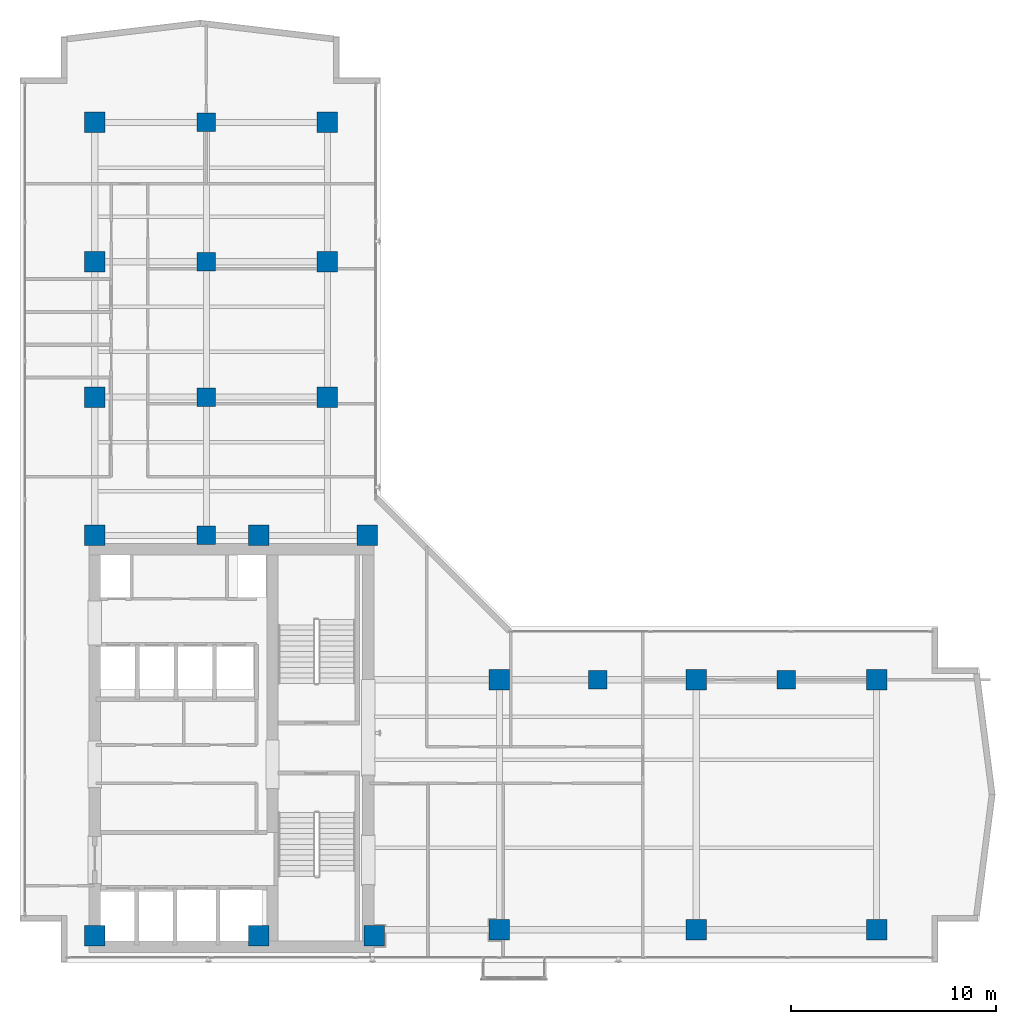
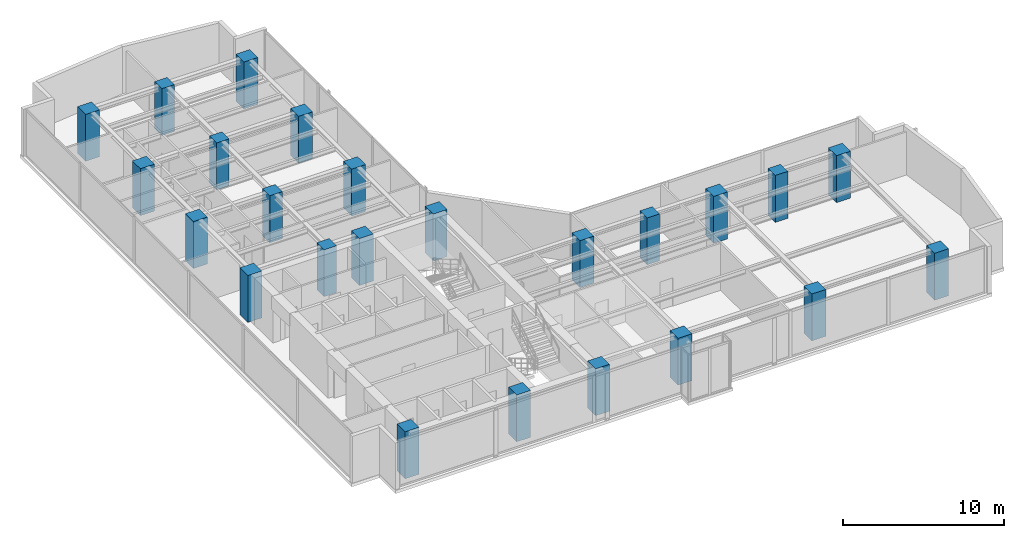
# One storey, part 1 of 23: 24 columns.
"""IFC4 building model written with IfcOpenShell, lengths in metres."""

import ifcopenshell
import ifcopenshell.guid

model = None  # the IFC model being written
_history = None  # IfcOwnerHistory: only IFC2X3 demands one
_inside = {}  # id of a spatial element -> (the spatial element, [elements in it])
_under = {}  # id of a project, library or spatial element -> (it, [spatial elements below it])
_declared = {}  # id of a project -> (the project, [libraries it declares])
_typed = {}  # id of a type object -> (the type object, [elements of that type])
_made_of = {}  # id of a material, layer set ... -> (it, [elements and type objects made of it])


def new_model(schema):
    """Start an empty IFC model of exactly this schema.

    Asked for "IFC4X3", IfcOpenShell would pick the latest addendum, in which some entities
    have other attributes; the version numbers below select the first issue.
    IFC2X3 requires an IfcOwnerHistory on every rooted entity: one is made here for all.
    """
    global model, _history
    if schema == "IFC4X3":
        model = ifcopenshell.file(schema_version=(4, 3, 0, 0))
    else:
        model = ifcopenshell.file(schema=schema)
    _inside.clear()
    _under.clear()
    _declared.clear()
    _typed.clear()
    _made_of.clear()
    _history = None
    if model.schema == "IFC2X3":
        org = make("IfcOrganization", Name="unknown")
        user = make(
            "IfcPersonAndOrganization",
            ThePerson=make("IfcPerson", FamilyName="unknown"),
            TheOrganization=org,
        )
        app = make(
            "IfcApplication",
            ApplicationDeveloper=org,
            Version="unknown",
            ApplicationFullName="unknown",
            ApplicationIdentifier="unknown",
        )
        _history = make(
            "IfcOwnerHistory",
            OwningUser=user,
            OwningApplication=app,
            ChangeAction="ADDED",
            CreationDate=0,
        )
    return model


def make(cls, **values):
    """One entity of the class cls with the attributes given. An attribute that is None is left unset."""
    return model.create_entity(
        cls, **{name: value for name, value in values.items() if value is not None}
    )


def rooted(cls, **values):
    """An entity with a GlobalId (a new one), such as an element, a storey or a relation."""
    return make(cls, GlobalId=ifcopenshell.guid.new(), OwnerHistory=_history, **values)


def si_unit(unit_type, name, prefix=None):
    """IfcSIUnit, for example si_unit("LENGTHUNIT", "METRE", prefix="MILLI")."""
    return make("IfcSIUnit", UnitType=unit_type, Prefix=prefix, Name=name)


def assignment(units):
    """IfcUnitAssignment: the units of a project."""
    return None if units is None else make("IfcUnitAssignment", Units=units)


def point(xyz):
    """IfcCartesianPoint."""
    return None if xyz is None else make("IfcCartesianPoint", Coordinates=xyz)


def direction(xyz):
    """IfcDirection."""
    return None if xyz is None else make("IfcDirection", DirectionRatios=xyz)


def frame(location, z_axis=None, x_axis=None):
    """IfcAxis2Placement3D, a coordinate frame: its origin and axes. An axis left out is left unset."""
    return make(
        "IfcAxis2Placement3D",
        Location=point(location),
        Axis=direction(z_axis),
        RefDirection=direction(x_axis),
    )


def frame_2d(location, x_axis=None):
    """IfcAxis2Placement2D, a coordinate frame in the plane: its origin and x axis."""
    return make(
        "IfcAxis2Placement2D", Location=point(location), RefDirection=direction(x_axis)
    )


def origin():
    """The frame at (0, 0, 0) with its axes left unset."""
    return frame((0.0, 0.0, 0.0))


def origin_2d():
    """The frame at (0, 0) in the plane with its x axis left unset."""
    return frame_2d((0.0, 0.0))


def place(relative_to, where):
    """IfcLocalPlacement: puts the frame where relative to a parent placement (None: the world)."""
    return make(
        "IfcLocalPlacement", PlacementRelTo=relative_to, RelativePlacement=where
    )


def context(
    kind, dimensions, precision=None, world=None, true_north=None, identifier=None
):
    """IfcGeometricRepresentationContext, for example the 3D "Model" context."""
    return make(
        "IfcGeometricRepresentationContext",
        ContextIdentifier=identifier,
        ContextType=kind,
        CoordinateSpaceDimension=dimensions,
        Precision=precision,
        WorldCoordinateSystem=world,
        TrueNorth=true_north,
    )


def subcontext(parent, identifier, kind, view, scale=None):
    """IfcGeometricRepresentationSubContext, for example "Body" below "Model"."""
    return make(
        "IfcGeometricRepresentationSubContext",
        ContextIdentifier=identifier,
        ContextType=kind,
        ParentContext=parent,
        TargetScale=scale,
        TargetView=view,
    )


def project(units=None, contexts=None):
    """IfcProject with its units and contexts."""
    return rooted(
        "IfcProject",
        Name="project",
        RepresentationContexts=contexts,
        UnitsInContext=assignment(units),
    )


def spatial(cls, under=None, at=None, **own):
    """A site, building, storey or space (cls), placed at a placement, below another one or the project."""
    s = rooted(cls, ObjectPlacement=at, **own)
    if under is not None:
        _under.setdefault(under.id(), (under, []))[1].append(s)
    return s


def profile(cls, at=None, kind="AREA", **sizes):
    """A parametric profile (cls). Its sizes go by their IFC names, for example OverallWidth=200.0."""
    return make(cls, ProfileType=kind, Position=at, **sizes)


def rectangle(**sizes):
    """IfcRectangleProfileDef."""
    return profile("IfcRectangleProfileDef", **sizes)


def extrude(swept, where, along, depth):
    """IfcExtrudedAreaSolid: the profile swept, set in the frame where, extruded along a direction by depth."""
    return make(
        "IfcExtrudedAreaSolid",
        SweptArea=swept,
        Position=where,
        ExtrudedDirection=direction(along),
        Depth=depth,
    )


def shape(context_of_items, identifier, shape_type, items):
    """IfcShapeRepresentation: the items that make up one representation, for example the "Body"."""
    return make(
        "IfcShapeRepresentation",
        ContextOfItems=context_of_items,
        RepresentationIdentifier=identifier,
        RepresentationType=shape_type,
        Items=items,
    )


def material(Name=None, Category=None):
    """IfcMaterial."""
    return make("IfcMaterial", Name=Name, Category=Category)


def material_profile(
    of_material, cross_section, Name=None, Category=None, Priority=None
):
    """IfcMaterialProfile: a cross section and its material."""
    return make(
        "IfcMaterialProfile",
        Name=Name,
        Material=of_material,
        Profile=cross_section,
        Priority=Priority,
        Category=Category,
    )


def profile_set(profiles, Name=None, composite=None):
    """IfcMaterialProfileSet."""
    return make(
        "IfcMaterialProfileSet",
        Name=Name,
        MaterialProfiles=profiles,
        CompositeProfile=composite,
    )


def made_of(thing, what):
    """Note that an element or type object is made of a material, layer set ...; save() writes the relation."""
    if what is not None:
        _made_of.setdefault(what.id(), (what, []))[1].append(thing)
    return thing


def type_object(cls, material=None, **own):
    """A type object (cls), such as IfcWallType, which elements share."""
    return made_of(rooted(cls, **own), material)


def element(
    cls,
    number,
    at=None,
    inside=None,
    cuts=None,
    type_object=None,
    material=None,
    context=None,
    identifier="Body",
    shape_type=None,
    held_by="IfcProductDefinitionShape",
    body=None,
    shapes=None,
    **own,
):
    """One element of the class cls, such as IfcWall. Its Tag is "e" and its number.

    at: its placement. inside: the storey or other place that contains it. cuts: it is an
    opening in that element (IfcRelVoidsElement). A single representation is given by context,
    identifier, shape_type and body (its items); several are given by shapes. held_by: the class
    of the entity that holds the representations. save() writes the other relations.
    """
    e = rooted(cls, Tag="e%d" % number, ObjectPlacement=at, **own)
    if body is not None:
        shapes = [shape(context, identifier, shape_type, body)]
    if shapes is not None:
        e.Representation = make(held_by, Representations=shapes)
    if inside is not None:
        _inside.setdefault(inside.id(), (inside, []))[1].append(e)
    if cuts is not None:
        rooted(
            "IfcRelVoidsElement", RelatingBuildingElement=cuts, RelatedOpeningElement=e
        )
    if type_object is not None:
        _typed.setdefault(type_object.id(), (type_object, []))[1].append(e)
    return made_of(e, material)


def aggregate(whole, parts):
    """IfcRelAggregates: a whole, such as a stair, and the parts it consists of."""
    return rooted("IfcRelAggregates", RelatingObject=whole, RelatedObjects=parts)


def save(model, path):
    """Write the relations noted so far, then the file.

    IfcRelAggregates (storeys below a building ...), IfcRelContainedInSpatialStructure (elements
    in a storey), IfcRelDefinesByType, IfcRelAssociatesMaterial and IfcRelDeclares: one each for
    every whole, place, type object, material and project.
    """
    for whole, parts in _under.values():
        aggregate(whole, parts)
    for where, things in _inside.values():
        rooted(
            "IfcRelContainedInSpatialStructure",
            RelatedElements=things,
            RelatingStructure=where,
        )
    for kind, things in _typed.values():
        rooted("IfcRelDefinesByType", RelatedObjects=things, RelatingType=kind)
    for what, things in _made_of.values():
        rooted("IfcRelAssociatesMaterial", RelatedObjects=things, RelatingMaterial=what)
    for by, libraries in _declared.values():
        rooted("IfcRelDeclares", RelatingContext=by, RelatedDefinitions=libraries)
    model.write(path)


model = new_model("IFC4")

# Units and contexts
model_context = context("Model", 3, precision=1e-05, world=origin(), true_north=direction((0.0, 1.0)))
body_context = subcontext(model_context, "Body", "Model", "MODEL_VIEW")
ifc_project = project(units=[si_unit("LENGTHUNIT", "METRE"), si_unit("AREAUNIT", "SQUARE_METRE"), si_unit("VOLUMEUNIT", "CUBIC_METRE"), si_unit("PLANEANGLEUNIT", "RADIAN"), si_unit("MASSUNIT", "GRAM", prefix="KILO")], contexts=[model_context])

# Site, building, storey
site_placement = place(None, origin())
site = spatial("IfcSite", under=ifc_project, at=site_placement, CompositionType="ELEMENT")
building_placement = place(site_placement, origin())
building = spatial("IfcBuilding", under=site, at=building_placement, Name="Kolvaren Waterfront Exchange", CompositionType="ELEMENT")
storey_placement = place(building_placement, frame((0.0, 0.0, 231.10009765625)))
storey = spatial("IfcBuildingStorey", under=building, at=storey_placement, Name="L59", CompositionType="ELEMENT", Elevation=231.10009765625)

# Columns
ifc_material = material(Name="Concrete C50/60", Category="concrete")
ifc_material_profile_1 = material_profile(ifc_material, rectangle(XDim=1.0, YDim=1.0, at=origin_2d()), Name="RC-COL-1000x1000")
ifc_profile_set_1 = profile_set([ifc_material_profile_1], Name="Concrete C50/60")
column_type_1 = type_object("IfcColumnType", Name="STR-COL-1000-C50", PredefinedType="COLUMN", material=ifc_profile_set_1)
for number, where, z_axis, x_axis, name in (
    (1, (7.449951171875, 4.89990234375, 0.0), (0.0, 0.0, 1.0), (1.0, 0.0, 0.0), "L59 column MC01"),
    (2, (15.449951171875, 4.89990234375, 0.0), (0.0, 0.0, 1.0), (1.0, 0.0, 0.0), "L59 column MC02"),
    (3, (21.10009765625, 4.89990234375, 0.0), (0.0, 0.0, 1.0), (1.0, 0.0, 0.0), "L59 column MC03"),
    (4, (7.449951171875, 24.449951171875, 0.0), (0.0, 0.0, 1.0), (1.0, 0.0, 0.0), "L59 column MC04"),
    (5, (15.449951171875, 24.449951171875, 0.0), (0.0, 0.0, 1.0), (1.0, 0.0, 0.0), "L59 column MC05"),
    (6, (20.75, 24.449951171875, 0.0), (0.0, 0.0, 1.0), (1.0, 0.0, 0.0), "L59 column MC06"),
    (7, (7.449951171875, 31.199951171875, 0.0), (0.0, 0.0, 1.0), (1.0, 0.0, 0.0), "L59 column NC01"),
    (8, (7.449951171875, 37.800048828125, 0.0), (0.0, 0.0, 1.0), (1.0, 0.0, 0.0), "L59 column NC02"),
    (9, (7.449951171875, 44.60009765625, 0.0), (0.0, 0.0, 1.0), (1.0, 0.0, 0.0), "L59 column NC03"),
    (10, (18.800048828125, 31.199951171875, 0.0), (0.0, 0.0, 1.0), (1.0, 0.0, 0.0), "L59 column NC04"),
    (11, (18.800048828125, 37.800048828125, 0.0), (0.0, 0.0, 1.0), (1.0, 0.0, 0.0), "L59 column NC05"),
    (12, (18.800048828125, 44.60009765625, 0.0), (0.0, 0.0, 1.0), (1.0, 0.0, 0.0), "L59 column NC06"),
    (13, (27.199951171875, 5.199951171875, 0.0), (0.0, 0.0, 1.0), (1.0, 0.0, 0.0), "L59 column EC01"),
    (14, (36.800048828125, 5.199951171875, 0.0), (0.0, 0.0, 1.0), (1.0, 0.0, 0.0), "L59 column EC02"),
    (15, (45.60009765625, 5.199951171875, 0.0), (0.0, 0.0, 1.0), (1.0, 0.0, 0.0), "L59 column EC03"),
    (16, (27.199951171875, 17.39990234375, 0.0), (0.0, 0.0, 1.0), (1.0, 0.0, 0.0), "L59 column EC04"),
    (17, (36.800048828125, 17.39990234375, 0.0), (0.0, 0.0, 1.0), (1.0, 0.0, 0.0), "L59 column EC05"),
    (18, (45.60009765625, 17.39990234375, 0.0), (0.0, 0.0, 1.0), (1.0, 0.0, 0.0), "L59 column EC06"),
):
    element("IfcColumn", number, at=place(storey_placement, frame(where, z_axis=z_axis, x_axis=x_axis)), inside=storey, type_object=column_type_1, Name=name, PredefinedType="COLUMN", context=body_context, shape_type="SweptSolid", body=[
        extrude(rectangle(XDim=1.0, YDim=1.0, at=origin_2d()), origin(), (0.0, 0.0, 1.0), 3.559814453125),
    ])
ifc_material_profile_2 = material_profile(ifc_material, rectangle(XDim=0.89990234375, YDim=0.89990234375, at=origin_2d()), Name="RC-COL-900x900")
ifc_profile_set_2 = profile_set([ifc_material_profile_2], Name="Concrete C50/60")
column_type_2 = type_object("IfcColumnType", Name="STR-COL-900-C50", PredefinedType="COLUMN", material=ifc_profile_set_2)
for number, where, z_axis, x_axis, name in (
    (19, (12.89990234375, 24.449951171875, 0.0), (0.0, 0.0, 1.0), (1.0, 0.0, 0.0), "L59 column TC01"),
    (20, (12.89990234375, 31.199951171875, 0.0), (0.0, 0.0, 1.0), (1.0, 0.0, 0.0), "L59 column TC02"),
    (21, (12.89990234375, 37.800048828125, 0.0), (0.0, 0.0, 1.0), (1.0, 0.0, 0.0), "L59 column TC03"),
    (22, (12.89990234375, 44.60009765625, 0.0), (0.0, 0.0, 1.0), (1.0, 0.0, 0.0), "L59 column TC04"),
    (23, (32.0, 17.39990234375, 0.0), (0.0, 0.0, 1.0), (1.0, 0.0, 0.0), "L59 column TC05"),
    (24, (41.199951171875, 17.39990234375, 0.0), (0.0, 0.0, 1.0), (1.0, 0.0, 0.0), "L59 column TC06"),
):
    element("IfcColumn", number, at=place(storey_placement, frame(where, z_axis=z_axis, x_axis=x_axis)), inside=storey, type_object=column_type_2, Name=name, PredefinedType="COLUMN", context=body_context, shape_type="SweptSolid", body=[
        extrude(rectangle(XDim=0.89990234375, YDim=0.89990234375, at=origin_2d()), origin(), (0.0, 0.0, 1.0), 3.559814453125),
    ])

save(model, "model.ifc")
